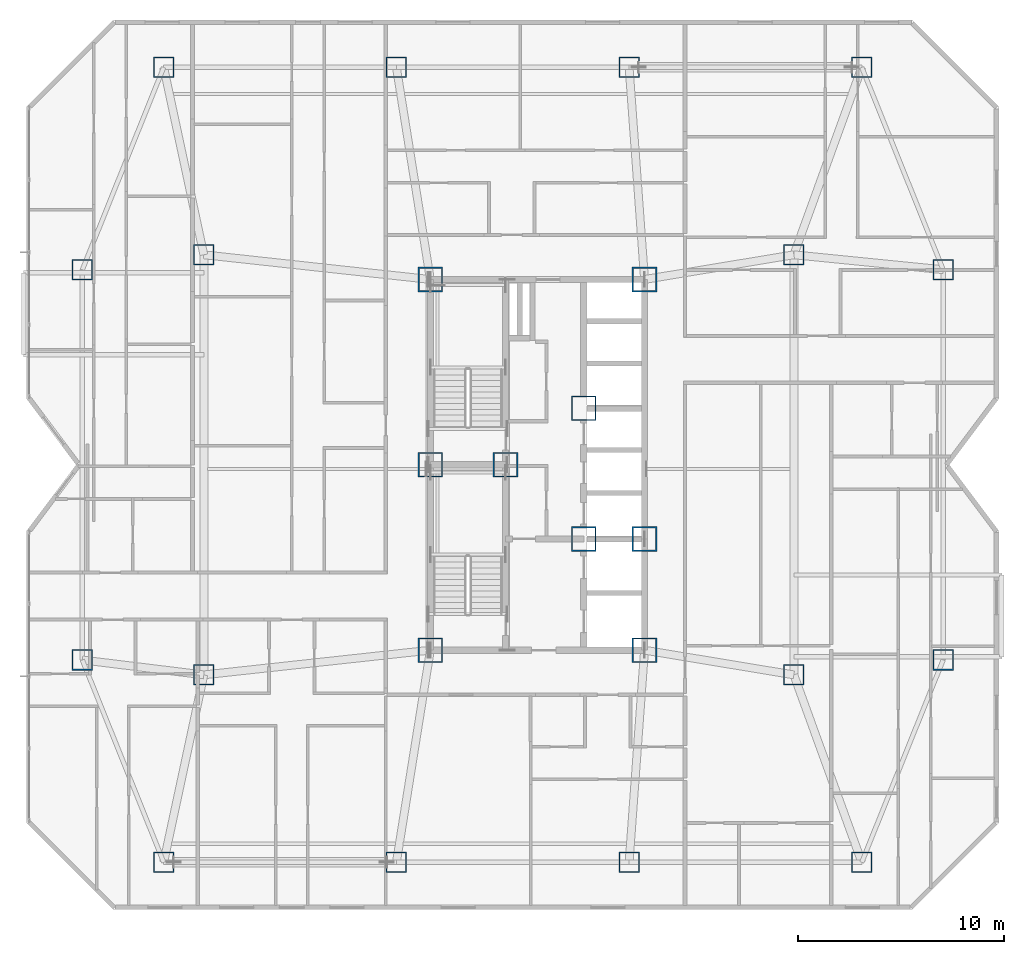
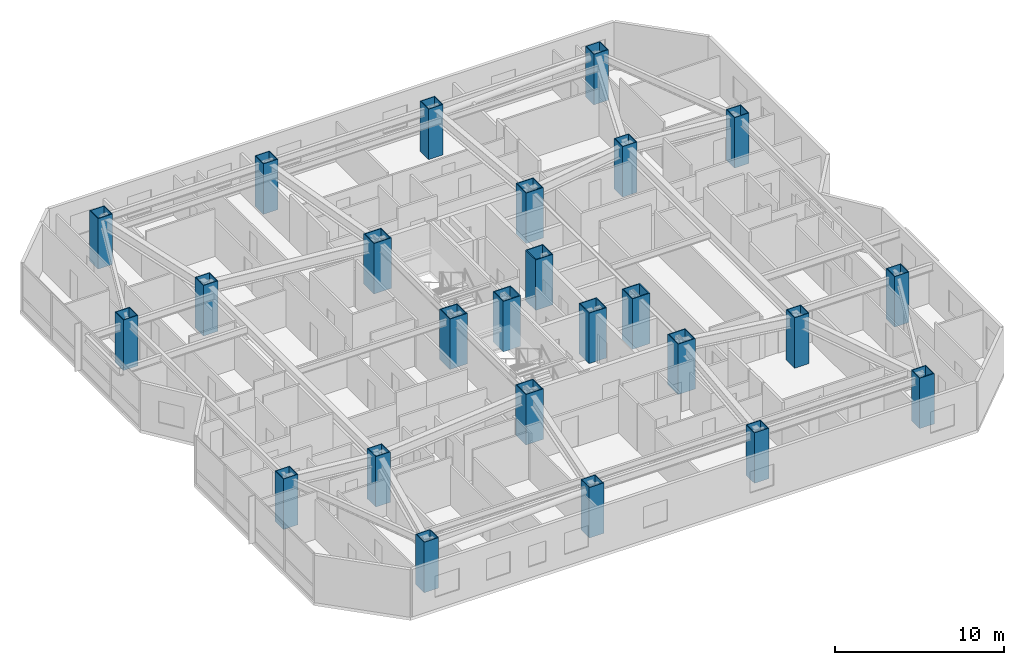
# One storey, part 1 of 21: 25 columns.
"""IFC4 building model written with IfcOpenShell, lengths in metres."""

from ifc_helpers import new_model, si_unit, direction, frame, origin, origin_2d, place, context, subcontext, project, spatial, hollow_rectangle, extrude, material, material_profile, profile_set, type_object, element, save


model = new_model("IFC4")

# Units and contexts
model_context = context("Model", 3, precision=1e-05, world=origin(), true_north=direction((0.0, 1.0)))
body_context = subcontext(model_context, "Body", "Model", "MODEL_VIEW")
ifc_project = project(units=[si_unit("LENGTHUNIT", "METRE"), si_unit("AREAUNIT", "SQUARE_METRE"), si_unit("VOLUMEUNIT", "CUBIC_METRE"), si_unit("PLANEANGLEUNIT", "RADIAN"), si_unit("MASSUNIT", "GRAM", prefix="KILO")], contexts=[model_context])

# Site, building, storey
site_placement = place(None, origin())
site = spatial("IfcSite", under=ifc_project, at=site_placement, CompositionType="ELEMENT")
building_placement = place(site_placement, origin())
building = spatial("IfcBuilding", under=site, at=building_placement, Name="Khamvora Tower", CompositionType="ELEMENT")
storey_placement = place(building_placement, frame((0.0, 0.0, 98.25)))
storey = spatial("IfcBuildingStorey", under=building, at=storey_placement, Name="L24", CompositionType="ELEMENT", Elevation=98.25)

# Columns
ifc_material_1 = material(Name="Steel S355", Category="steel")
ifc_material_profile_1 = material_profile(ifc_material_1, hollow_rectangle(XDim=1.0, YDim=1.0, WallThickness=0.050048828125, at=origin_2d()), Name="BOX1000x1000x50")
ifc_profile_set_1 = profile_set([ifc_material_profile_1], Name="Steel S355")
column_type_1 = type_object("IfcColumnType", Name="COL-BOX1000", PredefinedType="COLUMN", material=ifc_profile_set_1)
for number, where, z_axis, x_axis, name in (
    (1, (16.050048828125, 8.699951171875, 0.0), (0.0, 0.0, 1.0), (1.0, 0.0, 0.0), "L24 structural frame column S1"),
    (2, (27.35009765625, 8.699951171875, 0.0), (0.0, 0.0, 1.0), (1.0, 0.0, 0.0), "L24 structural frame column S2"),
    (3, (38.64990234375, 8.699951171875, 0.0), (0.0, 0.0, 1.0), (1.0, 0.0, 0.0), "L24 structural frame column S3"),
    (4, (49.949951171875, 8.699951171875, 0.0), (0.0, 0.0, 1.0), (1.0, 0.0, 0.0), "L24 structural frame column S4"),
    (5, (16.050048828125, 47.300048828125, 0.0), (0.0, 0.0, 1.0), (1.0, 0.0, 0.0), "L24 structural frame column N1"),
    (6, (27.35009765625, 47.300048828125, 0.0), (0.0, 0.0, 1.0), (1.0, 0.0, 0.0), "L24 structural frame column N2"),
    (7, (38.64990234375, 47.300048828125, 0.0), (0.0, 0.0, 1.0), (1.0, 0.0, 0.0), "L24 structural frame column N3"),
    (8, (49.949951171875, 47.300048828125, 0.0), (0.0, 0.0, 1.0), (1.0, 0.0, 0.0), "L24 structural frame column N4"),
    (9, (12.10009765625, 18.52490234375, 0.0), (0.0, 0.0, 1.0), (1.0, 0.0, 0.0), "L24 structural frame column W1"),
    (10, (12.10009765625, 37.47509765625, 0.0), (0.0, 0.0, 1.0), (1.0, 0.0, 0.0), "L24 structural frame column W2"),
    (11, (53.89990234375, 18.52490234375, 0.0), (0.0, 0.0, 1.0), (1.0, 0.0, 0.0), "L24 structural frame column E1"),
    (12, (53.89990234375, 37.47509765625, 0.0), (0.0, 0.0, 1.0), (1.0, 0.0, 0.0), "L24 structural frame column E2"),
    (13, (18.0, 17.800048828125, 0.0), (0.0, 0.0, 1.0), (1.0, 0.0, 0.0), "L24 structural frame column MW1"),
    (14, (18.0, 38.199951171875, 0.0), (0.0, 0.0, 1.0), (1.0, 0.0, 0.0), "L24 structural frame column MW2"),
    (15, (46.64990234375, 17.800048828125, 0.0), (0.0, 0.0, 1.0), (1.0, 0.0, 0.0), "L24 structural frame column M1"),
    (16, (46.64990234375, 38.199951171875, 0.0), (0.0, 0.0, 1.0), (1.0, 0.0, 0.0), "L24 structural frame column M2"),
):
    element("IfcColumn", number, at=place(storey_placement, frame(where, z_axis=z_axis, x_axis=x_axis)), inside=storey, type_object=column_type_1, Name=name, PredefinedType="COLUMN", context=body_context, shape_type="SweptSolid", body=[
        extrude(hollow_rectangle(XDim=1.0, YDim=1.0, WallThickness=0.050048828125, at=origin_2d()), origin(), (0.0, 0.0, 1.0), 3.64990234375),
    ])
ifc_material_2 = material(Name="Steel S460", Category="steel")
ifc_material_profile_2 = material_profile(ifc_material_2, hollow_rectangle(XDim=1.199951171875, YDim=1.199951171875, WallThickness=0.06005859375, at=origin_2d()), Name="BOX1200x1200x60")
ifc_profile_set_2 = profile_set([ifc_material_profile_2], Name="Steel S460")
column_type_2 = type_object("IfcColumnType", Name="COL-BOX1200", PredefinedType="COLUMN", material=ifc_profile_set_2)
for number, where, z_axis, x_axis, name in (
    (17, (29.0, 19.0, 0.0), (0.0, 0.0, 1.0), (1.0, 0.0, 0.0), "L24 plumb core spine column SC1"),
    (18, (32.64990234375, 28.0, 0.0), (0.0, 0.0, 1.0), (1.0, 0.0, 0.0), "L24 plumb core spine column SC2"),
    (19, (39.39990234375, 19.0, 0.0), (0.0, 0.0, 1.0), (1.0, 0.0, 0.0), "L24 plumb core spine column SC3"),
    (20, (29.0, 28.0, 0.0), (0.0, 0.0, 1.0), (1.0, 0.0, 0.0), "L24 plumb core spine column SC4"),
    (21, (36.449951171875, 24.39990234375, 0.0), (0.0, 0.0, 1.0), (1.0, 0.0, 0.0), "L24 plumb core spine column SC5"),
    (22, (39.39990234375, 24.39990234375, 0.0), (0.0, 0.0, 1.0), (1.0, 0.0, 0.0), "L24 plumb core spine column SC6"),
    (23, (29.0, 37.0, 0.0), (0.0, 0.0, 1.0), (1.0, 0.0, 0.0), "L24 plumb core spine column SC7"),
    (24, (36.449951171875, 30.75, 0.0), (0.0, 0.0, 1.0), (1.0, 0.0, 0.0), "L24 plumb core spine column SC8"),
    (25, (39.39990234375, 37.0, 0.0), (0.0, 0.0, 1.0), (1.0, 0.0, 0.0), "L24 plumb core spine column SC9"),
):
    element("IfcColumn", number, at=place(storey_placement, frame(where, z_axis=z_axis, x_axis=x_axis)), inside=storey, type_object=column_type_2, Name=name, PredefinedType="COLUMN", context=body_context, shape_type="SweptSolid", body=[
        extrude(hollow_rectangle(XDim=1.199951171875, YDim=1.199951171875, WallThickness=0.06005859375, at=origin_2d()), origin(), (0.0, 0.0, 1.0), 3.64990234375),
    ])

save(model, "model.ifc")
